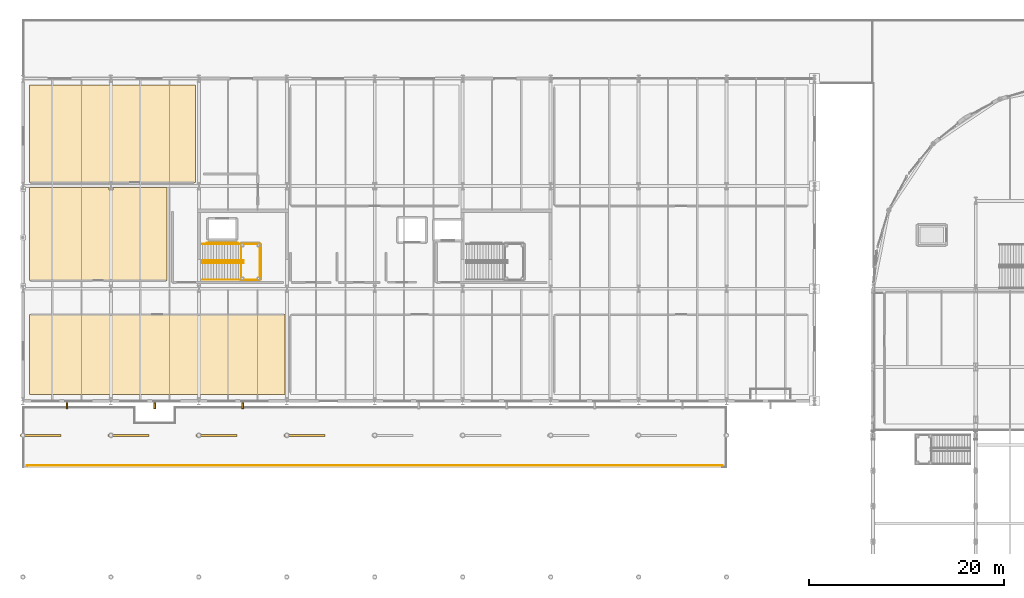
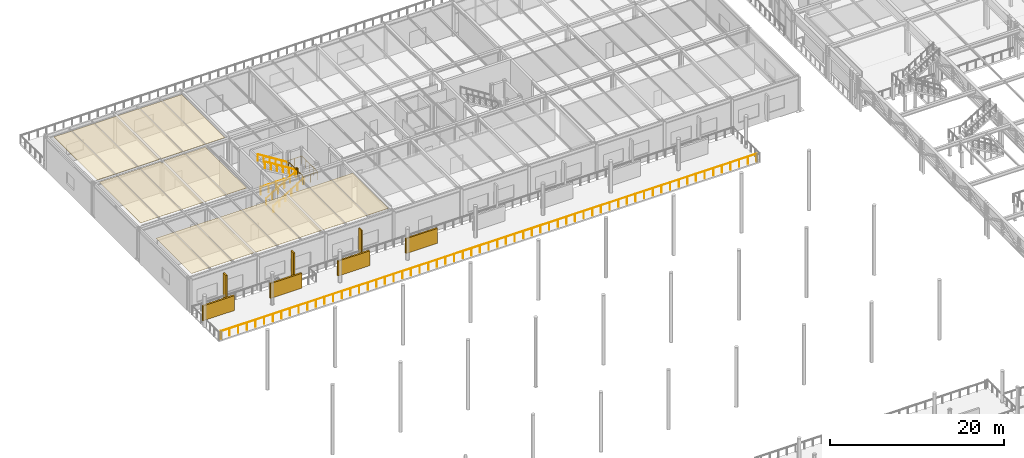
# One storey, part 126 of 143: 8 railings, 7 shading devices, 3 coverings.
"""IFC4 building model written with IfcOpenShell, lengths in metres."""

from ifc_helpers import new_model, si_unit, direction, frame, origin, origin_2d, place, context, subcontext, project, spatial, polyline, rectangle, circle, outline, extrude, material, layer, layer_set, type_object, element, save


model = new_model("IFC4")

# Units and contexts
model_context = context("Model", 3, precision=1e-05, world=origin(), true_north=direction((0.0, 1.0)))
body_context = subcontext(model_context, "Body", "Model", "MODEL_VIEW")
ifc_project = project(units=[si_unit("LENGTHUNIT", "METRE"), si_unit("AREAUNIT", "SQUARE_METRE"), si_unit("VOLUMEUNIT", "CUBIC_METRE"), si_unit("PLANEANGLEUNIT", "RADIAN"), si_unit("MASSUNIT", "GRAM", prefix="KILO")], contexts=[model_context])

# Site, building, storey
site_placement = place(None, origin())
site = spatial("IfcSite", under=ifc_project, at=site_placement, CompositionType="ELEMENT")
building_placement = place(site_placement, origin())
building = spatial("IfcBuilding", under=site, at=building_placement, Name="Marlcrest Central Station", CompositionType="ELEMENT")
storey_placement = place(building_placement, frame((0.0, 0.0, 4.800048828125)))
storey = spatial("IfcBuildingStorey", under=building, at=storey_placement, Name="L01", CompositionType="ELEMENT", Elevation=4.800048828125)

# Coverings
ifc_material_1 = material(Name="Perforated acoustic mineral-fibre ceiling")
ifc_layer = layer(ifc_material_1, 0.02490234375, Name="CV-CLG")
ifc_layer_set = layer_set([ifc_layer], Name="Perforated acoustic mineral-fibre ceiling")
covering_type = type_object("IfcCoveringType", Name="CV-CLG", PredefinedType="CEILING", material=ifc_layer_set)
covering_1_placement = place(storey_placement, frame((0.0, 0.0, 4.675048828125)))
element("IfcCovering", 1, at=covering_1_placement, inside=storey, type_object=covering_type, Name="cov-clg-0081", PredefinedType="CEILING", context=body_context, shape_type="SweptSolid", body=[
    extrude(outline(polyline([(26.840087890625, 99.659912109375), (26.840087890625, 107.840087890625), (0.659912109375, 107.840087890625), (0.659912109375, 99.659912109375), (26.840087890625, 99.659912109375)])), origin(), (0.0, 0.0, 1.0), 0.02490234375),
])
covering_2_placement = place(storey_placement, frame((0.0, 0.0, 4.675048828125)))
element("IfcCovering", 2, at=covering_2_placement, inside=storey, type_object=covering_type, Name="cov-clg-0084", PredefinedType="CEILING", context=body_context, shape_type="SweptSolid", body=[
    extrude(outline(polyline([(14.739990234375, 120.840087890625), (14.739990234375, 111.360107421875), (0.659912109375, 111.360107421875), (0.659912109375, 120.840087890625), (8.7900390625, 120.840087890625), (8.7900390625, 120.590087890625), (9.2099609375, 120.590087890625), (9.2099609375, 120.840087890625), (14.739990234375, 120.840087890625)])), origin(), (0.0, 0.0, 1.0), 0.02490234375),
])
covering_3_placement = place(storey_placement, frame((0.0, 0.0, 4.675048828125)))
element("IfcCovering", 3, at=covering_3_placement, inside=storey, type_object=covering_type, Name="cov-clg-0085", PredefinedType="CEILING", context=body_context, shape_type="SweptSolid", body=[
    extrude(outline(polyline([(0.659912109375, 121.360107421875), (0.659912109375, 131.340087890625), (17.639892578125, 131.340087890625), (17.639892578125, 121.360107421875), (9.2099609375, 121.360107421875), (9.2099609375, 121.409912109375), (8.7900390625, 121.409912109375), (8.7900390625, 121.360107421875), (0.659912109375, 121.360107421875)])), origin(), (0.0, 0.0, 1.0), 0.02490234375),
])

# Railings
ifc_material_2 = material(Name="Stainless steel and laminated glass concourse balustrade", Category="steel")
railing_type_1 = type_object("IfcRailingType", Name="GR-02", PredefinedType="BALUSTRADE", material=ifc_material_2)
railing_1_placement = place(storey_placement, frame((0.39990234375, 92.39990234375, 0.0)))
element("IfcRailing", 4, at=railing_1_placement, inside=storey, type_object=railing_type_1, Name="grd-L01-0005", PredefinedType="BALUSTRADE", context=body_context, shape_type="SweptSolid", body=[
    extrude(circle(Radius=0.02392578125, at=origin_2d()), frame((0.0, 0.0, 1.09619140625), z_axis=(1.0, 0.0, 0.0), x_axis=(0.0, 1.0, 0.0)), (0.0, 0.0, 1.0), 71.2001953125),
    extrude(circle(Radius=0.02099609375, at=origin_2d()), origin(), (0.0, 0.0, 1.0), 1.072021484375),
    extrude(circle(Radius=0.02099609375, at=origin_2d()), frame((1.1484375, 0.0, 0.0)), (0.0, 0.0, 1.0), 1.072021484375),
    extrude(circle(Radius=0.02099609375, at=origin_2d()), frame((2.296875, 0.0, 0.0)), (0.0, 0.0, 1.0), 1.072021484375),
    extrude(circle(Radius=0.02099609375, at=origin_2d()), frame((3.445068359375, 0.0, 0.0)), (0.0, 0.0, 1.0), 1.072021484375),
    extrude(circle(Radius=0.02099609375, at=origin_2d()), frame((4.593505859375, 0.0, 0.0)), (0.0, 0.0, 1.0), 1.072021484375),
    extrude(circle(Radius=0.02099609375, at=origin_2d()), frame((5.741943359375, 0.0, 0.0)), (0.0, 0.0, 1.0), 1.072021484375),
    extrude(circle(Radius=0.02099609375, at=origin_2d()), frame((6.890380859375, 0.0, 0.0)), (0.0, 0.0, 1.0), 1.072021484375),
    extrude(circle(Radius=0.02099609375, at=origin_2d()), frame((8.038818359375, 0.0, 0.0)), (0.0, 0.0, 1.0), 1.072021484375),
    extrude(circle(Radius=0.02099609375, at=origin_2d()), frame((9.18701171875, 0.0, 0.0)), (0.0, 0.0, 1.0), 1.072021484375),
    extrude(circle(Radius=0.02099609375, at=origin_2d()), frame((10.33544921875, 0.0, 0.0)), (0.0, 0.0, 1.0), 1.072021484375),
    extrude(circle(Radius=0.02099609375, at=origin_2d()), frame((11.48388671875, 0.0, 0.0)), (0.0, 0.0, 1.0), 1.072021484375),
    extrude(circle(Radius=0.02099609375, at=origin_2d()), frame((12.63232421875, 0.0, 0.0)), (0.0, 0.0, 1.0), 1.072021484375),
    extrude(circle(Radius=0.02099609375, at=origin_2d()), frame((13.78076171875, 0.0, 0.0)), (0.0, 0.0, 1.0), 1.072021484375),
    extrude(circle(Radius=0.02099609375, at=origin_2d()), frame((14.928955078125, 0.0, 0.0)), (0.0, 0.0, 1.0), 1.072021484375),
    extrude(circle(Radius=0.02099609375, at=origin_2d()), frame((16.077392578125, 0.0, 0.0)), (0.0, 0.0, 1.0), 1.072021484375),
    extrude(circle(Radius=0.02099609375, at=origin_2d()), frame((17.225830078125, 0.0, 0.0)), (0.0, 0.0, 1.0), 1.072021484375),
    extrude(circle(Radius=0.02099609375, at=origin_2d()), frame((18.374267578125, 0.0, 0.0)), (0.0, 0.0, 1.0), 1.072021484375),
    extrude(circle(Radius=0.02099609375, at=origin_2d()), frame((19.522705078125, 0.0, 0.0)), (0.0, 0.0, 1.0), 1.072021484375),
    extrude(circle(Radius=0.02099609375, at=origin_2d()), frame((20.671142578125, 0.0, 0.0)), (0.0, 0.0, 1.0), 1.072021484375),
    extrude(circle(Radius=0.02099609375, at=origin_2d()), frame((21.8193359375, 0.0, 0.0)), (0.0, 0.0, 1.0), 1.072021484375),
    extrude(circle(Radius=0.02099609375, at=origin_2d()), frame((22.9677734375, 0.0, 0.0)), (0.0, 0.0, 1.0), 1.072021484375),
    extrude(circle(Radius=0.02099609375, at=origin_2d()), frame((24.1162109375, 0.0, 0.0)), (0.0, 0.0, 1.0), 1.072021484375),
    extrude(circle(Radius=0.02099609375, at=origin_2d()), frame((25.2646484375, 0.0, 0.0)), (0.0, 0.0, 1.0), 1.072021484375),
    extrude(circle(Radius=0.02099609375, at=origin_2d()), frame((26.4130859375, 0.0, 0.0)), (0.0, 0.0, 1.0), 1.072021484375),
    extrude(circle(Radius=0.02099609375, at=origin_2d()), frame((27.561279296875, 0.0, 0.0)), (0.0, 0.0, 1.0), 1.072021484375),
    extrude(circle(Radius=0.02099609375, at=origin_2d()), frame((28.709716796875, 0.0, 0.0)), (0.0, 0.0, 1.0), 1.072021484375),
    extrude(circle(Radius=0.02099609375, at=origin_2d()), frame((29.858154296875, 0.0, 0.0)), (0.0, 0.0, 1.0), 1.072021484375),
    extrude(circle(Radius=0.02099609375, at=origin_2d()), frame((31.006591796875, 0.0, 0.0)), (0.0, 0.0, 1.0), 1.072021484375),
    extrude(circle(Radius=0.02099609375, at=origin_2d()), frame((32.155029296875, 0.0, 0.0)), (0.0, 0.0, 1.0), 1.072021484375),
    extrude(circle(Radius=0.02099609375, at=origin_2d()), frame((33.30322265625, 0.0, 0.0)), (0.0, 0.0, 1.0), 1.072021484375),
    extrude(circle(Radius=0.02099609375, at=origin_2d()), frame((34.45166015625, 0.0, 0.0)), (0.0, 0.0, 1.0), 1.072021484375),
    extrude(circle(Radius=0.02099609375, at=origin_2d()), frame((35.60009765625, 0.0, 0.0)), (0.0, 0.0, 1.0), 1.072021484375),
    extrude(circle(Radius=0.02099609375, at=origin_2d()), frame((36.74853515625, 0.0, 0.0)), (0.0, 0.0, 1.0), 1.072021484375),
    extrude(circle(Radius=0.02099609375, at=origin_2d()), frame((37.89697265625, 0.0, 0.0)), (0.0, 0.0, 1.0), 1.072021484375),
    extrude(circle(Radius=0.02099609375, at=origin_2d()), frame((39.045166015625, 0.0, 0.0)), (0.0, 0.0, 1.0), 1.072021484375),
    extrude(circle(Radius=0.02099609375, at=origin_2d()), frame((40.193603515625, 0.0, 0.0)), (0.0, 0.0, 1.0), 1.072021484375),
    extrude(circle(Radius=0.02099609375, at=origin_2d()), frame((41.342041015625, 0.0, 0.0)), (0.0, 0.0, 1.0), 1.072021484375),
    extrude(circle(Radius=0.02099609375, at=origin_2d()), frame((42.490478515625, 0.0, 0.0)), (0.0, 0.0, 1.0), 1.072021484375),
    extrude(circle(Radius=0.02099609375, at=origin_2d()), frame((43.638916015625, 0.0, 0.0)), (0.0, 0.0, 1.0), 1.072021484375),
    extrude(circle(Radius=0.02099609375, at=origin_2d()), frame((44.787109375, 0.0, 0.0)), (0.0, 0.0, 1.0), 1.072021484375),
    extrude(circle(Radius=0.02099609375, at=origin_2d()), frame((45.935546875, 0.0, 0.0)), (0.0, 0.0, 1.0), 1.072021484375),
    extrude(circle(Radius=0.02099609375, at=origin_2d()), frame((47.083984375, 0.0, 0.0)), (0.0, 0.0, 1.0), 1.072021484375),
    extrude(circle(Radius=0.02099609375, at=origin_2d()), frame((48.232421875, 0.0, 0.0)), (0.0, 0.0, 1.0), 1.072021484375),
    extrude(circle(Radius=0.02099609375, at=origin_2d()), frame((49.380859375, 0.0, 0.0)), (0.0, 0.0, 1.0), 1.072021484375),
    extrude(circle(Radius=0.02099609375, at=origin_2d()), frame((50.529052734375, 0.0, 0.0)), (0.0, 0.0, 1.0), 1.072021484375),
    extrude(circle(Radius=0.02099609375, at=origin_2d()), frame((51.677490234375, 0.0, 0.0)), (0.0, 0.0, 1.0), 1.072021484375),
    extrude(circle(Radius=0.02099609375, at=origin_2d()), frame((52.825927734375, 0.0, 0.0)), (0.0, 0.0, 1.0), 1.072021484375),
    extrude(circle(Radius=0.02099609375, at=origin_2d()), frame((53.974365234375, 0.0, 0.0)), (0.0, 0.0, 1.0), 1.072021484375),
    extrude(circle(Radius=0.02099609375, at=origin_2d()), frame((55.122802734375, 0.0, 0.0)), (0.0, 0.0, 1.0), 1.072021484375),
    extrude(circle(Radius=0.02099609375, at=origin_2d()), frame((56.271240234375, 0.0, 0.0)), (0.0, 0.0, 1.0), 1.072021484375),
    extrude(circle(Radius=0.02099609375, at=origin_2d()), frame((57.41943359375, 0.0, 0.0)), (0.0, 0.0, 1.0), 1.072021484375),
    extrude(circle(Radius=0.02099609375, at=origin_2d()), frame((58.56787109375, 0.0, 0.0)), (0.0, 0.0, 1.0), 1.072021484375),
    extrude(circle(Radius=0.02099609375, at=origin_2d()), frame((59.71630859375, 0.0, 0.0)), (0.0, 0.0, 1.0), 1.072021484375),
    extrude(circle(Radius=0.02099609375, at=origin_2d()), frame((60.86474609375, 0.0, 0.0)), (0.0, 0.0, 1.0), 1.072021484375),
    extrude(circle(Radius=0.02099609375, at=origin_2d()), frame((62.01318359375, 0.0, 0.0)), (0.0, 0.0, 1.0), 1.072021484375),
    extrude(circle(Radius=0.02099609375, at=origin_2d()), frame((63.161376953125, 0.0, 0.0)), (0.0, 0.0, 1.0), 1.072021484375),
    extrude(circle(Radius=0.02099609375, at=origin_2d()), frame((64.309814453125, 0.0, 0.0)), (0.0, 0.0, 1.0), 1.072021484375),
    extrude(circle(Radius=0.02099609375, at=origin_2d()), frame((65.458251953125, 0.0, 0.0)), (0.0, 0.0, 1.0), 1.072021484375),
    extrude(circle(Radius=0.02099609375, at=origin_2d()), frame((66.606689453125, 0.0, 0.0)), (0.0, 0.0, 1.0), 1.072021484375),
    extrude(circle(Radius=0.02099609375, at=origin_2d()), frame((67.755126953125, 0.0, 0.0)), (0.0, 0.0, 1.0), 1.072021484375),
    extrude(circle(Radius=0.02099609375, at=origin_2d()), frame((68.9033203125, 0.0, 0.0)), (0.0, 0.0, 1.0), 1.072021484375),
    extrude(circle(Radius=0.02099609375, at=origin_2d()), frame((70.0517578125, 0.0, 0.0)), (0.0, 0.0, 1.0), 1.072021484375),
    extrude(circle(Radius=0.02099609375, at=origin_2d()), frame((71.2001953125, 0.0, 0.0)), (0.0, 0.0, 1.0), 1.072021484375),
])
railing_2_placement = place(storey_placement, frame((22.320068359375, 111.409912109375, 2.5)))
element("IfcRailing", 5, at=railing_2_placement, inside=storey, type_object=railing_type_1, Name="hr-L01-00250", PredefinedType="BALUSTRADE", context=body_context, shape_type="SweptSolid", body=[
    extrude(circle(Radius=0.02392578125, at=origin_2d()), frame((0.0, 0.0, 1.09619140625), z_axis=(1.0, 0.0, 0.0), x_axis=(0.0, 1.0, 0.0)), (0.0, 0.0, 1.0), 1.919921875),
    extrude(circle(Radius=0.02392578125, at=origin_2d()), frame((1.919921875, 0.0, 1.09619140625), z_axis=(0.0, 1.0, 0.0), x_axis=(-1.0, 0.0, 0.0)), (0.0, 0.0, 1.0), 3.68017578125),
    extrude(circle(Radius=0.02392578125, at=origin_2d()), frame((1.919921875, 3.68017578125, 1.09619140625), z_axis=(-1.0, 0.0, 0.0), x_axis=(0.0, -1.0, 0.0)), (0.0, 0.0, 1.0), 1.919921875),
    extrude(circle(Radius=0.02099609375, at=origin_2d()), origin(), (0.0, 0.0, 1.0), 1.072021484375),
    extrude(circle(Radius=0.02099609375, at=origin_2d()), frame((0.9599609375, 0.0, 0.0)), (0.0, 0.0, 1.0), 1.072021484375),
    extrude(circle(Radius=0.02099609375, at=origin_2d()), frame((1.919921875, 0.0, 0.0)), (0.0, 0.0, 1.0), 1.072021484375),
    extrude(circle(Radius=0.02099609375, at=origin_2d()), frame((1.919921875, 0.919921875, 0.0)), (0.0, 0.0, 1.0), 1.072021484375),
    extrude(circle(Radius=0.02099609375, at=origin_2d()), frame((1.919921875, 1.840087890625, 0.0)), (0.0, 0.0, 1.0), 1.072021484375),
    extrude(circle(Radius=0.02099609375, at=origin_2d()), frame((1.919921875, 2.76025390625, 0.0)), (0.0, 0.0, 1.0), 1.072021484375),
    extrude(circle(Radius=0.02099609375, at=origin_2d()), frame((1.919921875, 3.68017578125, 0.0)), (0.0, 0.0, 1.0), 1.072021484375),
    extrude(circle(Radius=0.02099609375, at=origin_2d()), frame((0.9599609375, 3.68017578125, 0.0)), (0.0, 0.0, 1.0), 1.072021484375),
    extrude(circle(Radius=0.02099609375, at=origin_2d()), frame((0.0, 3.68017578125, 0.0)), (0.0, 0.0, 1.0), 1.072021484375),
])
railing_3_placement = place(storey_placement, frame((21.991943359375, 115.159912109375, 0.0)))
element("IfcRailing", 6, at=railing_3_placement, inside=storey, type_object=railing_type_1, Name="hr-L01-00316", PredefinedType="BALUSTRADE", context=body_context, shape_type="SweptSolid", body=[
    extrude(circle(Radius=0.02392578125, at=origin_2d()), frame((0.0, 0.0, 1.09619140625), z_axis=(-1.0, 0.0, 0.0), x_axis=(0.0, -1.0, 0.0)), (0.0, 0.0, 1.0), 3.171875),
    extrude(circle(Radius=0.02099609375, at=origin_2d()), origin(), (0.0, 0.0, 1.0), 1.072021484375),
    extrude(circle(Radius=0.02099609375, at=origin_2d()), frame((-1.057373046875, 0.0, 0.0)), (0.0, 0.0, 1.0), 1.072021484375),
    extrude(circle(Radius=0.02099609375, at=origin_2d()), frame((-2.114501953125, 0.0, 0.0)), (0.0, 0.0, 1.0), 1.072021484375),
    extrude(circle(Radius=0.02099609375, at=origin_2d()), frame((-3.171875, 0.0, 0.0)), (0.0, 0.0, 1.0), 1.072021484375),
])
railing_4_placement = place(storey_placement, frame((22.340087890625, 111.659912109375, 2.5)))
element("IfcRailing", 7, at=railing_4_placement, inside=storey, type_object=railing_type_1, Name="hr-L01-00602", PredefinedType="BALUSTRADE", context=body_context, shape_type="SweptSolid", body=[
    extrude(circle(Radius=0.02392578125, at=origin_2d()), frame((0.0, 0.0, 1.09619140625), z_axis=(0.0, 1.0, 0.0), x_axis=(-1.0, 0.0, 0.0)), (0.0, 0.0, 1.0), 1.469970703125),
    extrude(circle(Radius=0.02392578125, at=origin_2d()), frame((0.0, 1.469970703125, 1.09619140625), z_axis=(1.0, 0.0, 0.0), x_axis=(0.0, 1.0, 0.0)), (0.0, 0.0, 1.0), 0.25),
    extrude(circle(Radius=0.02392578125, at=origin_2d()), frame((0.25, 1.469970703125, 1.09619140625), z_axis=(0.0, 1.0, 0.0), x_axis=(-1.0, 0.0, 0.0)), (0.0, 0.0, 1.0), 0.240234375),
    extrude(circle(Radius=0.02392578125, at=origin_2d()), frame((0.25, 1.710205078125, 1.09619140625), z_axis=(-1.0, 0.0, 0.0), x_axis=(0.0, -1.0, 0.0)), (0.0, 0.0, 1.0), 0.25),
    extrude(circle(Radius=0.02392578125, at=origin_2d()), frame((0.0, 1.710205078125, 1.09619140625), z_axis=(0.0, 1.0, 0.0), x_axis=(-1.0, 0.0, 0.0)), (0.0, 0.0, 1.0), 1.469970703125),
    extrude(circle(Radius=0.02099609375, at=origin_2d()), origin(), (0.0, 0.0, 1.0), 1.072021484375),
    extrude(circle(Radius=0.02099609375, at=origin_2d()), frame((0.0, 0.73486328125, 0.0)), (0.0, 0.0, 1.0), 1.072021484375),
    extrude(circle(Radius=0.02099609375, at=origin_2d()), frame((0.0, 1.469970703125, 0.0)), (0.0, 0.0, 1.0), 1.072021484375),
    extrude(circle(Radius=0.02099609375, at=origin_2d()), frame((0.25, 1.469970703125, 0.0)), (0.0, 0.0, 1.0), 1.072021484375),
    extrude(circle(Radius=0.02099609375, at=origin_2d()), frame((0.25, 1.710205078125, 0.0)), (0.0, 0.0, 1.0), 1.072021484375),
    extrude(circle(Radius=0.02099609375, at=origin_2d()), frame((0.0, 1.710205078125, 0.0)), (0.0, 0.0, 1.0), 1.072021484375),
    extrude(circle(Radius=0.02099609375, at=origin_2d()), frame((0.0, 2.4453125, 0.0)), (0.0, 0.0, 1.0), 1.072021484375),
    extrude(circle(Radius=0.02099609375, at=origin_2d()), frame((0.0, 3.18017578125, 0.0)), (0.0, 0.0, 1.0), 1.072021484375),
])
ifc_material_3 = material(Name="Brushed stainless steel handrail", Category="steel")
railing_type_2 = type_object("IfcRailingType", Name="HR-01", PredefinedType="HANDRAIL", material=ifc_material_3)
railing_5_placement = place(storey_placement, frame((18.3701171875, 111.419921875, 0.0)))
element("IfcRailing", 8, at=railing_5_placement, inside=storey, type_object=railing_type_2, Name="hr-L01-00246", PredefinedType="HANDRAIL", context=body_context, shape_type="SweptSolid", body=[
    extrude(circle(Radius=0.02392578125, at=origin_2d()), frame((0.0, 0.0, 0.89599609375), z_axis=(0.847400605549, 0.0, 0.530954059892), x_axis=(0.0, 1.0, 0.0)), (0.0, 0.0, 1.0), 4.70849609375),
    extrude(circle(Radius=0.02099609375, at=origin_2d()), origin(), (0.0, 0.0, 1.0), 0.871826171875),
    extrude(circle(Radius=0.02099609375, at=origin_2d()), frame((0.798095703125, 0.0, 0.5)), (0.0, 0.0, 1.0), 0.871826171875),
    extrude(circle(Radius=0.02099609375, at=origin_2d()), frame((1.595947265625, 0.0, 1.0)), (0.0, 0.0, 1.0), 0.871826171875),
    extrude(circle(Radius=0.02099609375, at=origin_2d()), frame((2.39404296875, 0.0, 1.5)), (0.0, 0.0, 1.0), 0.871826171875),
    extrude(circle(Radius=0.02099609375, at=origin_2d()), frame((3.19189453125, 0.0, 2.0)), (0.0, 0.0, 1.0), 0.871826171875),
    extrude(circle(Radius=0.02099609375, at=origin_2d()), frame((3.989990234375, 0.0, 2.5)), (0.0, 0.0, 1.0), 0.871826171875),
])
railing_6_placement = place(storey_placement, frame((22.360107421875, 113.3798828125, 2.5)))
element("IfcRailing", 9, at=railing_6_placement, inside=storey, type_object=railing_type_2, Name="hr-L01-00247", PredefinedType="HANDRAIL", context=body_context, shape_type="SweptSolid", body=[
    extrude(circle(Radius=0.02392578125, at=origin_2d()), frame((0.0, 0.0, 0.89599609375), z_axis=(-0.847400605549, 0.0, 0.530954059892), x_axis=(0.0, -1.0, 0.0)), (0.0, 0.0, 1.0), 4.70849609375),
    extrude(circle(Radius=0.02099609375, at=origin_2d()), origin(), (0.0, 0.0, 1.0), 0.871826171875),
    extrude(circle(Radius=0.02099609375, at=origin_2d()), frame((-0.798095703125, 0.0, 0.5)), (0.0, 0.0, 1.0), 0.871826171875),
    extrude(circle(Radius=0.02099609375, at=origin_2d()), frame((-1.595947265625, 0.0, 1.0)), (0.0, 0.0, 1.0), 0.871826171875),
    extrude(circle(Radius=0.02099609375, at=origin_2d()), frame((-2.39404296875, 0.0, 1.5)), (0.0, 0.0, 1.0), 0.871826171875),
    extrude(circle(Radius=0.02099609375, at=origin_2d()), frame((-3.19189453125, 0.0, 2.0)), (0.0, 0.0, 1.0), 0.871826171875),
    extrude(circle(Radius=0.02099609375, at=origin_2d()), frame((-3.989990234375, 0.0, 2.5)), (0.0, 0.0, 1.0), 0.871826171875),
])
railing_7_placement = place(storey_placement, frame((18.3701171875, 113.1201171875, 0.0)))
element("IfcRailing", 10, at=railing_7_placement, inside=storey, type_object=railing_type_2, Name="hr-L01-00248", PredefinedType="HANDRAIL", context=body_context, shape_type="SweptSolid", body=[
    extrude(circle(Radius=0.02392578125, at=origin_2d()), frame((0.0, 0.0, 0.89599609375), z_axis=(0.847400605549, 0.0, 0.530954059892), x_axis=(0.0, 1.0, 0.0)), (0.0, 0.0, 1.0), 4.70849609375),
    extrude(circle(Radius=0.02099609375, at=origin_2d()), origin(), (0.0, 0.0, 1.0), 0.871826171875),
    extrude(circle(Radius=0.02099609375, at=origin_2d()), frame((0.798095703125, 0.0, 0.5)), (0.0, 0.0, 1.0), 0.871826171875),
    extrude(circle(Radius=0.02099609375, at=origin_2d()), frame((1.595947265625, 0.0, 1.0)), (0.0, 0.0, 1.0), 0.871826171875),
    extrude(circle(Radius=0.02099609375, at=origin_2d()), frame((2.39404296875, 0.0, 1.5)), (0.0, 0.0, 1.0), 0.871826171875),
    extrude(circle(Radius=0.02099609375, at=origin_2d()), frame((3.19189453125, 0.0, 2.0)), (0.0, 0.0, 1.0), 0.871826171875),
    extrude(circle(Radius=0.02099609375, at=origin_2d()), frame((3.989990234375, 0.0, 2.5)), (0.0, 0.0, 1.0), 0.871826171875),
])
railing_8_placement = place(storey_placement, frame((22.360107421875, 115.080078125, 2.5)))
element("IfcRailing", 11, at=railing_8_placement, inside=storey, type_object=railing_type_2, Name="hr-L01-00249", PredefinedType="HANDRAIL", context=body_context, shape_type="SweptSolid", body=[
    extrude(circle(Radius=0.02392578125, at=origin_2d()), frame((0.0, 0.0, 0.89599609375), z_axis=(-0.847400605549, 0.0, 0.530954059892), x_axis=(0.0, -1.0, 0.0)), (0.0, 0.0, 1.0), 4.70849609375),
    extrude(circle(Radius=0.02099609375, at=origin_2d()), origin(), (0.0, 0.0, 1.0), 0.871826171875),
    extrude(circle(Radius=0.02099609375, at=origin_2d()), frame((-0.798095703125, 0.0, 0.5)), (0.0, 0.0, 1.0), 0.871826171875),
    extrude(circle(Radius=0.02099609375, at=origin_2d()), frame((-1.595947265625, 0.0, 1.0)), (0.0, 0.0, 1.0), 0.871826171875),
    extrude(circle(Radius=0.02099609375, at=origin_2d()), frame((-2.39404296875, 0.0, 1.5)), (0.0, 0.0, 1.0), 0.871826171875),
    extrude(circle(Radius=0.02099609375, at=origin_2d()), frame((-3.19189453125, 0.0, 2.0)), (0.0, 0.0, 1.0), 0.871826171875),
    extrude(circle(Radius=0.02099609375, at=origin_2d()), frame((-3.989990234375, 0.0, 2.5)), (0.0, 0.0, 1.0), 0.871826171875),
])

# Shading devices
ifc_material_4 = material(Name="Precast concrete C40/50", Category="concrete")
shading_device_type_1 = type_object("IfcShadingDeviceType", Name="SD-BS1", PredefinedType="USERDEFINED", material=ifc_material_4)
for number, where, z_axis, x_axis, name in (
    (12, (4.5, 98.534912109375, 0.375), (0.0, 0.0, 1.0), (1.0, 0.0, 0.0), "shd-L01-0035"),
    (13, (13.5, 98.534912109375, 0.375), (0.0, 0.0, 1.0), (1.0, 0.0, 0.0), "shd-L01-0036"),
    (14, (22.5, 98.534912109375, 0.375), (0.0, 0.0, 1.0), (1.0, 0.0, 0.0), "shd-L01-0037"),
):
    element("IfcShadingDevice", number, at=place(storey_placement, frame(where, z_axis=z_axis, x_axis=x_axis)), inside=storey, type_object=shading_device_type_1, Name=name, ObjectType="BRISE_SOLEIL", PredefinedType="USERDEFINED", context=body_context, shape_type="SweptSolid", body=[
        extrude(rectangle(XDim=0.179931640625, YDim=0.64990234375, at=origin_2d()), origin(), (0.0, 0.0, 1.0), 3.60009765625),
    ])
ifc_material_5 = material(Name="Bronze-anodised aluminium storm louvre", Category="aluminium")
shading_device_type_2 = type_object("IfcShadingDeviceType", Name="SD-JL2", PredefinedType="JALOUSIE", material=ifc_material_5)
for number, where, z_axis, x_axis, name in (
    (15, (1.800048828125, 95.5, 0.949951171875), (0.0, 0.0, 1.0), (1.0, 0.0, 0.0), "shd-L01-0065"),
    (16, (10.800048828125, 95.5, 0.949951171875), (0.0, 0.0, 1.0), (1.0, 0.0, 0.0), "shd-L01-0067"),
    (17, (19.800048828125, 95.5, 0.949951171875), (0.0, 0.0, 1.0), (1.0, 0.0, 0.0), "shd-L01-0069"),
    (18, (28.800048828125, 95.5, 0.949951171875), (0.0, 0.0, 1.0), (1.0, 0.0, 0.0), "shd-L01-0071"),
):
    element("IfcShadingDevice", number, at=place(storey_placement, frame(where, z_axis=z_axis, x_axis=x_axis)), inside=storey, type_object=shading_device_type_2, Name=name, PredefinedType="JALOUSIE", context=body_context, shape_type="SweptSolid", body=[
        extrude(rectangle(XDim=4.199951171875, YDim=0.219970703125, at=origin_2d()), origin(), (0.0, 0.0, 1.0), 2.10009765625),
    ])

save(model, "model.ifc")
